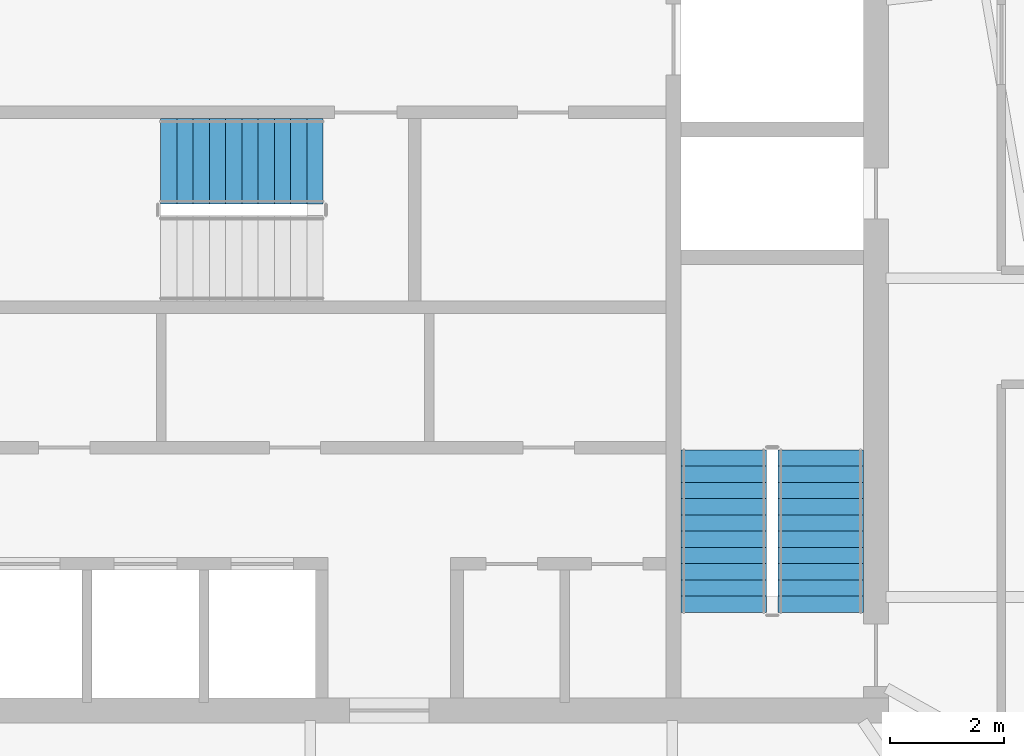
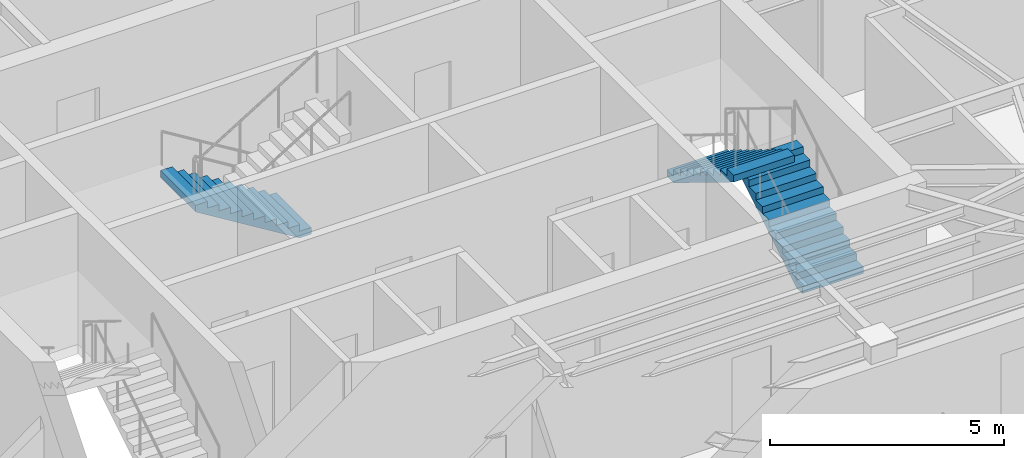
# One storey, part 9 of 10: 3 stair flights, 2 elements without a shape of their own.
"""IFC4 building model written with IfcOpenShell, lengths in metres."""

import ifcopenshell
import ifcopenshell.guid

model = None  # the IFC model being written
_history = None  # IfcOwnerHistory: only IFC2X3 demands one
_inside = {}  # id of a spatial element -> (the spatial element, [elements in it])
_under = {}  # id of a project, library or spatial element -> (it, [spatial elements below it])
_declared = {}  # id of a project -> (the project, [libraries it declares])
_typed = {}  # id of a type object -> (the type object, [elements of that type])
_made_of = {}  # id of a material, layer set ... -> (it, [elements and type objects made of it])


def new_model(schema):
    """Start an empty IFC model of exactly this schema.

    Asked for "IFC4X3", IfcOpenShell would pick the latest addendum, in which some entities
    have other attributes; the version numbers below select the first issue.
    IFC2X3 requires an IfcOwnerHistory on every rooted entity: one is made here for all.
    """
    global model, _history
    if schema == "IFC4X3":
        model = ifcopenshell.file(schema_version=(4, 3, 0, 0))
    else:
        model = ifcopenshell.file(schema=schema)
    _inside.clear()
    _under.clear()
    _declared.clear()
    _typed.clear()
    _made_of.clear()
    _history = None
    if model.schema == "IFC2X3":
        org = make("IfcOrganization", Name="unknown")
        user = make(
            "IfcPersonAndOrganization",
            ThePerson=make("IfcPerson", FamilyName="unknown"),
            TheOrganization=org,
        )
        app = make(
            "IfcApplication",
            ApplicationDeveloper=org,
            Version="unknown",
            ApplicationFullName="unknown",
            ApplicationIdentifier="unknown",
        )
        _history = make(
            "IfcOwnerHistory",
            OwningUser=user,
            OwningApplication=app,
            ChangeAction="ADDED",
            CreationDate=0,
        )
    return model


def make(cls, **values):
    """One entity of the class cls with the attributes given. An attribute that is None is left unset."""
    return model.create_entity(
        cls, **{name: value for name, value in values.items() if value is not None}
    )


def rooted(cls, **values):
    """An entity with a GlobalId (a new one), such as an element, a storey or a relation."""
    return make(cls, GlobalId=ifcopenshell.guid.new(), OwnerHistory=_history, **values)


def si_unit(unit_type, name, prefix=None):
    """IfcSIUnit, for example si_unit("LENGTHUNIT", "METRE", prefix="MILLI")."""
    return make("IfcSIUnit", UnitType=unit_type, Prefix=prefix, Name=name)


def assignment(units):
    """IfcUnitAssignment: the units of a project."""
    return None if units is None else make("IfcUnitAssignment", Units=units)


def point(xyz):
    """IfcCartesianPoint."""
    return None if xyz is None else make("IfcCartesianPoint", Coordinates=xyz)


def direction(xyz):
    """IfcDirection."""
    return None if xyz is None else make("IfcDirection", DirectionRatios=xyz)


def frame(location, z_axis=None, x_axis=None):
    """IfcAxis2Placement3D, a coordinate frame: its origin and axes. An axis left out is left unset."""
    return make(
        "IfcAxis2Placement3D",
        Location=point(location),
        Axis=direction(z_axis),
        RefDirection=direction(x_axis),
    )


def origin():
    """The frame at (0, 0, 0) with its axes left unset."""
    return frame((0.0, 0.0, 0.0))


def place(relative_to, where):
    """IfcLocalPlacement: puts the frame where relative to a parent placement (None: the world)."""
    return make(
        "IfcLocalPlacement", PlacementRelTo=relative_to, RelativePlacement=where
    )


def context(
    kind, dimensions, precision=None, world=None, true_north=None, identifier=None
):
    """IfcGeometricRepresentationContext, for example the 3D "Model" context."""
    return make(
        "IfcGeometricRepresentationContext",
        ContextIdentifier=identifier,
        ContextType=kind,
        CoordinateSpaceDimension=dimensions,
        Precision=precision,
        WorldCoordinateSystem=world,
        TrueNorth=true_north,
    )


def subcontext(parent, identifier, kind, view, scale=None):
    """IfcGeometricRepresentationSubContext, for example "Body" below "Model"."""
    return make(
        "IfcGeometricRepresentationSubContext",
        ContextIdentifier=identifier,
        ContextType=kind,
        ParentContext=parent,
        TargetScale=scale,
        TargetView=view,
    )


def project(units=None, contexts=None):
    """IfcProject with its units and contexts."""
    return rooted(
        "IfcProject",
        Name="project",
        RepresentationContexts=contexts,
        UnitsInContext=assignment(units),
    )


def spatial(cls, under=None, at=None, **own):
    """A site, building, storey or space (cls), placed at a placement, below another one or the project."""
    s = rooted(cls, ObjectPlacement=at, **own)
    if under is not None:
        _under.setdefault(under.id(), (under, []))[1].append(s)
    return s


def polyline(points):
    """IfcPolyline through the points."""
    return make("IfcPolyline", Points=[point(p) for p in points])


def outline(outer, holes=None, kind="AREA"):
    """IfcArbitraryClosedProfileDef: a profile drawn as a closed curve; with holes, ...WithVoids."""
    if holes is None:
        return make("IfcArbitraryClosedProfileDef", ProfileType=kind, OuterCurve=outer)
    return make(
        "IfcArbitraryProfileDefWithVoids",
        ProfileType=kind,
        OuterCurve=outer,
        InnerCurves=holes,
    )


def extrude(swept, where, along, depth):
    """IfcExtrudedAreaSolid: the profile swept, set in the frame where, extruded along a direction by depth."""
    return make(
        "IfcExtrudedAreaSolid",
        SweptArea=swept,
        Position=where,
        ExtrudedDirection=direction(along),
        Depth=depth,
    )


def shape(context_of_items, identifier, shape_type, items):
    """IfcShapeRepresentation: the items that make up one representation, for example the "Body"."""
    return make(
        "IfcShapeRepresentation",
        ContextOfItems=context_of_items,
        RepresentationIdentifier=identifier,
        RepresentationType=shape_type,
        Items=items,
    )


def material(Name=None, Category=None):
    """IfcMaterial."""
    return make("IfcMaterial", Name=Name, Category=Category)


def made_of(thing, what):
    """Note that an element or type object is made of a material, layer set ...; save() writes the relation."""
    if what is not None:
        _made_of.setdefault(what.id(), (what, []))[1].append(thing)
    return thing


def type_object(cls, material=None, **own):
    """A type object (cls), such as IfcWallType, which elements share."""
    return made_of(rooted(cls, **own), material)


def element(
    cls,
    number,
    at=None,
    inside=None,
    cuts=None,
    type_object=None,
    material=None,
    context=None,
    identifier="Body",
    shape_type=None,
    held_by="IfcProductDefinitionShape",
    body=None,
    shapes=None,
    **own,
):
    """One element of the class cls, such as IfcWall. Its Tag is "e" and its number.

    at: its placement. inside: the storey or other place that contains it. cuts: it is an
    opening in that element (IfcRelVoidsElement). A single representation is given by context,
    identifier, shape_type and body (its items); several are given by shapes. held_by: the class
    of the entity that holds the representations. save() writes the other relations.
    """
    e = rooted(cls, Tag="e%d" % number, ObjectPlacement=at, **own)
    if body is not None:
        shapes = [shape(context, identifier, shape_type, body)]
    if shapes is not None:
        e.Representation = make(held_by, Representations=shapes)
    if inside is not None:
        _inside.setdefault(inside.id(), (inside, []))[1].append(e)
    if cuts is not None:
        rooted(
            "IfcRelVoidsElement", RelatingBuildingElement=cuts, RelatedOpeningElement=e
        )
    if type_object is not None:
        _typed.setdefault(type_object.id(), (type_object, []))[1].append(e)
    return made_of(e, material)


def aggregate(whole, parts):
    """IfcRelAggregates: a whole, such as a stair, and the parts it consists of."""
    return rooted("IfcRelAggregates", RelatingObject=whole, RelatedObjects=parts)


def save(model, path):
    """Write the relations noted so far, then the file.

    IfcRelAggregates (storeys below a building ...), IfcRelContainedInSpatialStructure (elements
    in a storey), IfcRelDefinesByType, IfcRelAssociatesMaterial and IfcRelDeclares: one each for
    every whole, place, type object, material and project.
    """
    for whole, parts in _under.values():
        aggregate(whole, parts)
    for where, things in _inside.values():
        rooted(
            "IfcRelContainedInSpatialStructure",
            RelatedElements=things,
            RelatingStructure=where,
        )
    for kind, things in _typed.values():
        rooted("IfcRelDefinesByType", RelatedObjects=things, RelatingType=kind)
    for what, things in _made_of.values():
        rooted("IfcRelAssociatesMaterial", RelatedObjects=things, RelatingMaterial=what)
    for by, libraries in _declared.values():
        rooted("IfcRelDeclares", RelatingContext=by, RelatedDefinitions=libraries)
    model.write(path)


model = new_model("IFC4")

# Units and contexts
model_context = context("Model", 3, precision=1e-05, world=origin(), true_north=direction((0.0, 1.0)))
body_context = subcontext(model_context, "Body", "Model", "MODEL_VIEW")
ifc_project = project(units=[si_unit("LENGTHUNIT", "METRE"), si_unit("AREAUNIT", "SQUARE_METRE"), si_unit("VOLUMEUNIT", "CUBIC_METRE"), si_unit("PLANEANGLEUNIT", "RADIAN"), si_unit("MASSUNIT", "GRAM", prefix="KILO")], contexts=[model_context])

# Site, building, storey
site_placement = place(None, origin())
site = spatial("IfcSite", under=ifc_project, at=site_placement, CompositionType="ELEMENT")
building_placement = place(site_placement, origin())
building = spatial("IfcBuilding", under=site, at=building_placement, Name="Kavelnor Concourse Tower", CompositionType="ELEMENT")
storey_placement = place(building_placement, frame((0.0, 0.0, 230.449951171875)))
storey = spatial("IfcBuildingStorey", under=building, at=storey_placement, Name="L58", CompositionType="ELEMENT", Elevation=230.449951171875)

# Stair, stair flights
ifc_material = material(Name="Concrete C40/50", Category="concrete")
stair_type = type_object("IfcStairType", Name="STR-CORE-1500", PredefinedType="HALF_TURN_STAIR", material=ifc_material)
stair_1_placement = place(storey_placement, origin())
stair_1 = element("IfcStair", 1, at=stair_1_placement, inside=storey, type_object=stair_type, Name="L58 ST2", PredefinedType="HALF_TURN_STAIR")
stair_flight_type = type_object("IfcStairFlightType", Name="STR-FLIGHT-1500", PredefinedType="STRAIGHT", material=ifc_material)
stair_flight_1_placement = place(storey_placement, frame((46.77001953125, 11.10009765625, 0.0), z_axis=(0.0, 0.0, 1.0), x_axis=(0.0, 1.0, 0.0)))
stair_flight_1 = element("IfcStairFlight", 2, at=stair_flight_1_placement, type_object=stair_flight_type, Name="ST2 flight 1", NumberOfRisers=11, NumberOfTreads=10, PredefinedType="STRAIGHT", RiserHeight=0.175, TreadLength=0.285, context=body_context, shape_type="SweptSolid", body=[
    extrude(outline(polyline([(0.0, 0.0), (0.0, 0.175048828125), (0.284912109375, 0.175048828125), (0.284912109375, 0.35009765625), (0.570068359375, 0.35009765625), (0.570068359375, 0.52490234375), (0.85498046875, 0.52490234375), (0.85498046875, 0.699951171875), (1.139892578125, 0.699951171875), (1.139892578125, 0.875), (1.425048828125, 0.875), (1.425048828125, 1.050048828125), (1.7099609375, 1.050048828125), (1.7099609375, 1.22509765625), (1.9951171875, 1.22509765625), (1.9951171875, 1.39990234375), (2.280029296875, 1.39990234375), (2.280029296875, 1.574951171875), (2.56494140625, 1.574951171875), (2.56494140625, 1.75), (2.85009765625, 1.75), (2.85009765625, 1.925048828125), (2.85009765625, 1.573974609375), (0.286376953125, 0.0), (0.0, 0.0)])), frame((0.0, 0.75, 0.0), z_axis=(0.0, -1.0, 0.0), x_axis=(1.0, 0.0, 0.0)), (0.0, 0.0, 1.0), 1.5),
])
stair_flight_2_placement = place(storey_placement, frame((45.070068359375, 13.949951171875, 1.925048828125), z_axis=(0.0, 0.0, 1.0), x_axis=(0.0, -1.0, 0.0)))
stair_flight_2 = element("IfcStairFlight", 3, at=stair_flight_2_placement, type_object=stair_flight_type, Name="ST2 flight 2", NumberOfRisers=11, NumberOfTreads=10, PredefinedType="STRAIGHT", RiserHeight=0.175, TreadLength=0.285, context=body_context, shape_type="SweptSolid", body=[
    extrude(outline(polyline([(0.0, 0.0), (0.0, 0.175048828125), (0.284912109375, 0.175048828125), (0.284912109375, 0.35009765625), (0.570068359375, 0.35009765625), (0.570068359375, 0.52490234375), (0.85498046875, 0.52490234375), (0.85498046875, 0.699951171875), (1.139892578125, 0.699951171875), (1.139892578125, 0.875), (1.425048828125, 0.875), (1.425048828125, 1.050048828125), (1.7099609375, 1.050048828125), (1.7099609375, 1.22509765625), (1.9951171875, 1.22509765625), (1.9951171875, 1.39990234375), (2.280029296875, 1.39990234375), (2.280029296875, 1.574951171875), (2.56494140625, 1.574951171875), (2.56494140625, 1.75), (2.85009765625, 1.75), (2.85009765625, 1.925048828125), (2.85009765625, 1.573974609375), (0.286376953125, 0.0), (0.0, 0.0)])), frame((0.0, 0.75, 0.0), z_axis=(0.0, -1.0, 0.0), x_axis=(1.0, 0.0, 0.0)), (0.0, 0.0, 1.0), 1.5),
])
aggregate(stair_1, [stair_flight_1, stair_flight_2])

# Stair, stair flight
stair_2_placement = place(storey_placement, origin())
stair_2 = element("IfcStair", 4, at=stair_2_placement, inside=storey, type_object=stair_type, Name="L58 ST3", PredefinedType="HALF_TURN_STAIR")
stair_flight_3_placement = place(storey_placement, frame((38.0400390625, 19.010009765625, 0.0), z_axis=(0.0, 0.0, 1.0), x_axis=(-1.0, 0.0, 0.0)))
stair_flight_3 = element("IfcStairFlight", 5, at=stair_flight_3_placement, type_object=stair_flight_type, Name="ST3 flight 1", NumberOfRisers=11, NumberOfTreads=10, PredefinedType="STRAIGHT", RiserHeight=0.175, TreadLength=0.285, context=body_context, shape_type="SweptSolid", body=[
    extrude(outline(polyline([(0.0, 0.0), (0.0, 0.175048828125), (0.284912109375, 0.175048828125), (0.284912109375, 0.35009765625), (0.570068359375, 0.35009765625), (0.570068359375, 0.52490234375), (0.85498046875, 0.52490234375), (0.85498046875, 0.699951171875), (1.139892578125, 0.699951171875), (1.139892578125, 0.875), (1.425048828125, 0.875), (1.425048828125, 1.050048828125), (1.7099609375, 1.050048828125), (1.7099609375, 1.22509765625), (1.9951171875, 1.22509765625), (1.9951171875, 1.39990234375), (2.280029296875, 1.39990234375), (2.280029296875, 1.574951171875), (2.56494140625, 1.574951171875), (2.56494140625, 1.75), (2.85009765625, 1.75), (2.85009765625, 1.925048828125), (2.85009765625, 1.573974609375), (0.286376953125, 0.0), (0.0, 0.0)])), frame((0.0, 0.75, 0.0), z_axis=(0.0, -1.0, 0.0), x_axis=(1.0, 0.0, 0.0)), (0.0, 0.0, 1.0), 1.5),
])
aggregate(stair_2, [stair_flight_3])

save(model, "model.ifc")
